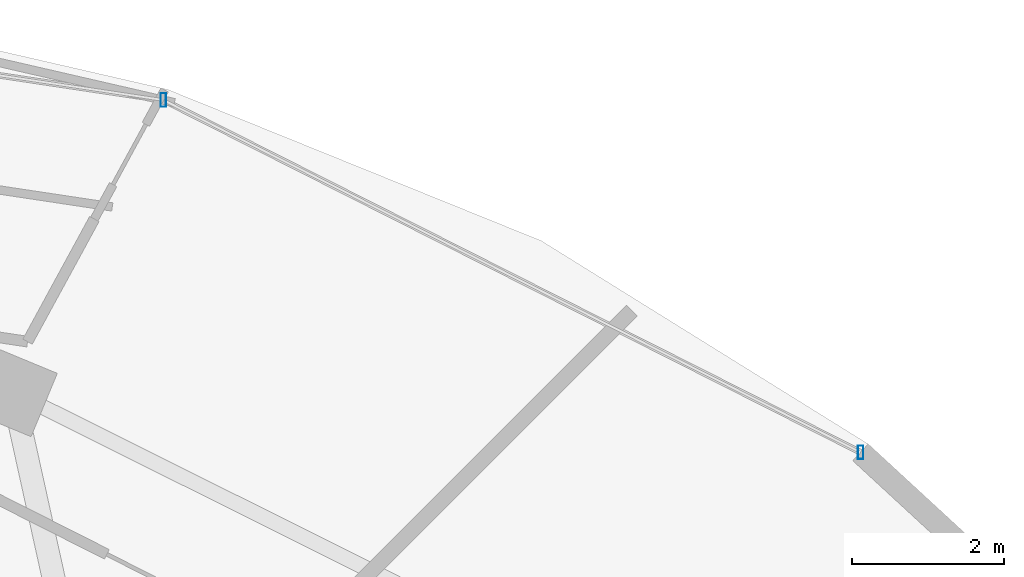
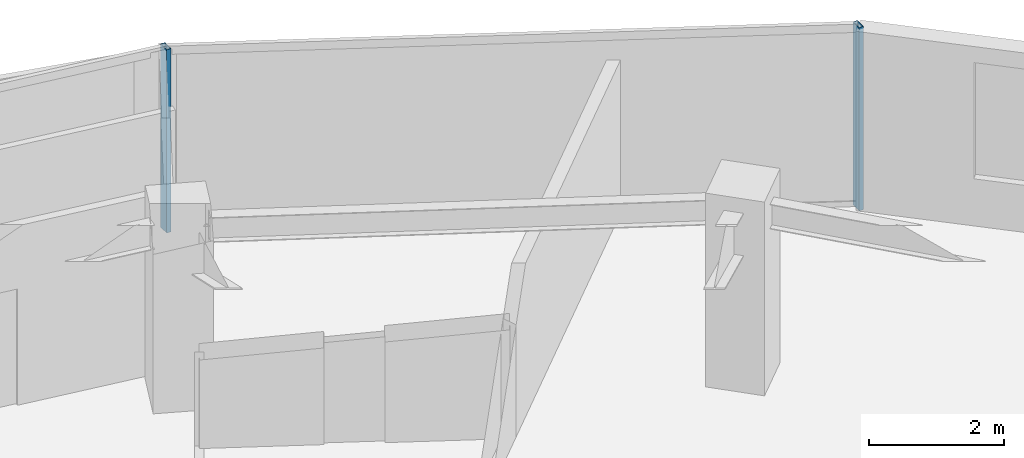
# One storey, part 20 of 31: 2 members, 1 element without a shape of its own.
"""IFC4 building model written with IfcOpenShell, lengths in metres."""

from ifc_helpers import new_model, si_unit, direction, frame, origin, origin_2d, place, context, subcontext, project, spatial, hollow_rectangle, extrude, material, material_profile, profile_set, type_object, element, aggregate, save


model = new_model("IFC4")

# Units and contexts
model_context = context("Model", 3, precision=1e-05, world=origin(), true_north=direction((0.0, 1.0)))
body_context = subcontext(model_context, "Body", "Model", "MODEL_VIEW")
ifc_project = project(units=[si_unit("LENGTHUNIT", "METRE"), si_unit("AREAUNIT", "SQUARE_METRE"), si_unit("VOLUMEUNIT", "CUBIC_METRE"), si_unit("PLANEANGLEUNIT", "RADIAN"), si_unit("MASSUNIT", "GRAM", prefix="KILO")], contexts=[model_context])

# Site, building, storey
site_placement = place(None, origin())
site = spatial("IfcSite", under=ifc_project, at=site_placement, CompositionType="ELEMENT")
building_placement = place(site_placement, origin())
building = spatial("IfcBuilding", under=site, at=building_placement, Name="Vorneva Point Tower", CompositionType="ELEMENT")
storey_placement = place(building_placement, frame((0.0, 0.0, 193.10009765625)))
storey = spatial("IfcBuildingStorey", under=building, at=storey_placement, Name="L52", CompositionType="ELEMENT", Elevation=193.10009765625)

# Curtain wall, members
ifc_material = material(Name="Pale anodised aluminium", Category="aluminium")
curtain_wall_type = type_object("IfcCurtainWallType", Name="CW-RES-SYS", PredefinedType="NOTDEFINED", material=ifc_material)
curtain_wall_placement = place(storey_placement, origin())
curtain_wall = element("IfcCurtainWall", 1, at=curtain_wall_placement, inside=storey, type_object=curtain_wall_type, Name="L52 Unitised Curtain Wall CW-L52-R02", PredefinedType="NOTDEFINED")
ifc_material_profile = material_profile(ifc_material, hollow_rectangle(XDim=0.074951171875, YDim=0.179931640625, WallThickness=0.00390625, at=origin_2d()), Name="AL-MUL 180x75x4")
ifc_profile_set = profile_set([ifc_material_profile], Name="Pale anodised aluminium")
member_type = type_object("IfcMemberType", Name="CW-MUL-180", PredefinedType="MULLION", material=ifc_profile_set)
member_1_placement = place(storey_placement, frame((57.961669921875, 41.0966796875, -0.0400390625), z_axis=(0.0, 0.0, 1.0), x_axis=(1.0, 0.0, 0.0)))
member_1 = element("IfcMember", 2, at=member_1_placement, type_object=member_type, Name="CW-L52-R02 Mullion 01", PredefinedType="MULLION", context=body_context, shape_type="SweptSolid", body=[
    extrude(hollow_rectangle(XDim=0.074951171875, YDim=0.179931640625, WallThickness=0.00390625, at=origin_2d()), origin(), (0.0, 0.0, 1.0), 3.31005859375),
])
member_2_placement = place(storey_placement, frame((48.80322265625, 45.724853515625, -0.0400390625), z_axis=(0.0, 0.0, 1.0), x_axis=(1.0, 0.0, 0.0)))
member_2 = element("IfcMember", 3, at=member_2_placement, type_object=member_type, Name="CW-L52-R02 Mullion 02", PredefinedType="MULLION", context=body_context, shape_type="SweptSolid", body=[
    extrude(hollow_rectangle(XDim=0.074951171875, YDim=0.179931640625, WallThickness=0.00390625, at=origin_2d()), origin(), (0.0, 0.0, 1.0), 3.31005859375),
])
aggregate(curtain_wall, [member_1, member_2])

save(model, "model.ifc")
